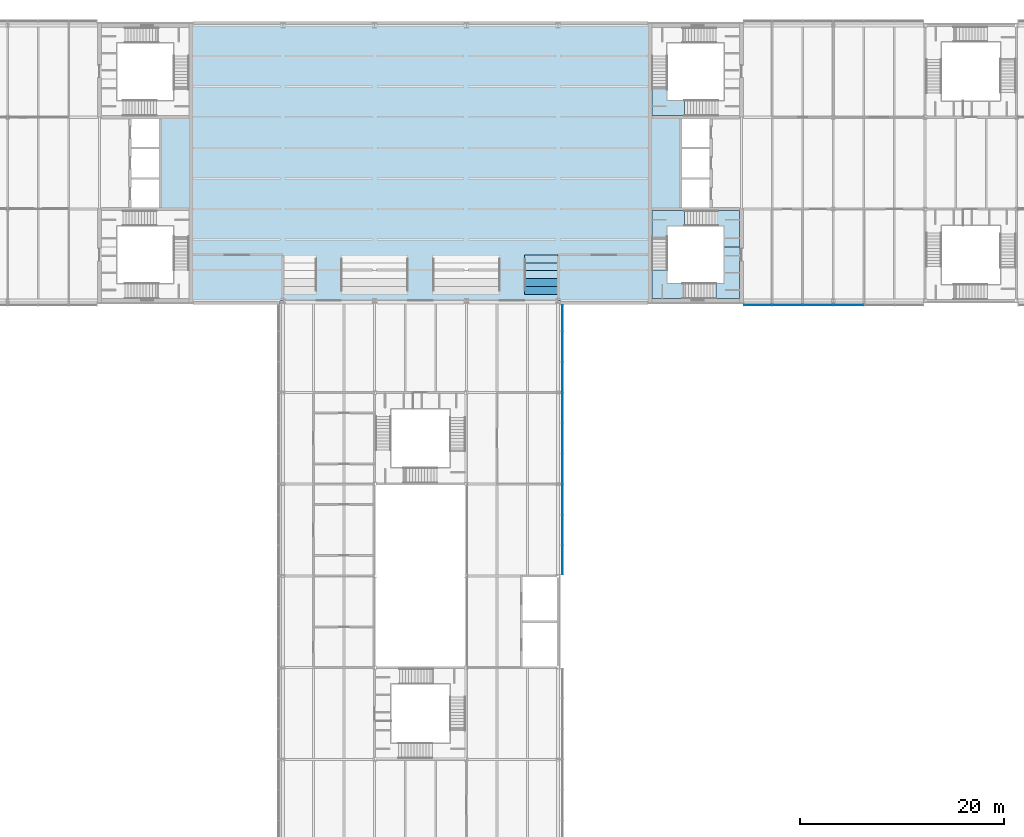
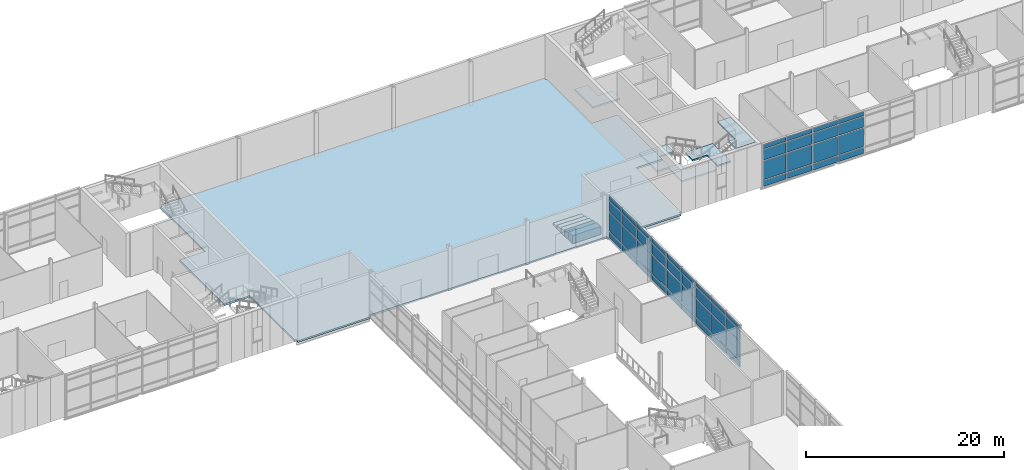
# One storey, part 30 of 52: 52 plates, 11 slabs, 4 elements without a shape of their own.
"""IFC4 building model written with IfcOpenShell, lengths in metres."""

from ifc_helpers import new_model, si_unit, direction, frame, origin, origin_2d, place, context, subcontext, project, spatial, polyline, rectangle, outline, extrude, material, layer, layer_set, type_object, element, aggregate, save


model = new_model("IFC4")

# Units and contexts
model_context = context("Model", 3, precision=1e-05, world=origin(), true_north=direction((0.0, 1.0)))
body_context = subcontext(model_context, "Body", "Model", "MODEL_VIEW")
ifc_project = project(units=[si_unit("LENGTHUNIT", "METRE"), si_unit("AREAUNIT", "SQUARE_METRE"), si_unit("VOLUMEUNIT", "CUBIC_METRE"), si_unit("PLANEANGLEUNIT", "RADIAN"), si_unit("MASSUNIT", "GRAM", prefix="KILO")], contexts=[model_context])

# Site, building, storey
site_placement = place(None, origin())
site = spatial("IfcSite", under=ifc_project, at=site_placement, CompositionType="ELEMENT")
building_placement = place(site_placement, origin())
building = spatial("IfcBuilding", under=site, at=building_placement, Name="Azimuth Sports and Learning Centre", CompositionType="ELEMENT")
storey_placement = place(building_placement, frame((0.0, 0.0, 16.199951171875)))
storey = spatial("IfcBuildingStorey", under=building, at=storey_placement, Name="L03", CompositionType="ELEMENT", Elevation=16.199951171875)

# Slab
ifc_material_1 = material(Name="Concrete C30/37", Category="concrete")
ifc_layer_1 = layer(ifc_material_1, 0.219970703125)
ifc_layer_set_1 = layer_set([ifc_layer_1], Name="Concrete C30/37")
slab_type_1 = type_object("IfcSlabType", Name="Composite hall floor slab 220", PredefinedType="FLOOR", material=ifc_layer_set_1)
slab_1_placement = place(storey_placement, frame((0.0, 0.0, -0.219970703125)))
element("IfcSlab", 1, at=slab_1_placement, inside=storey, type_object=slab_type_1, Name="Slab HALL L03", PredefinedType="FLOOR", context=body_context, shape_type="SweptSolid", body=[
    extrude(outline(polyline([(63.199951171875, 89.699951171875), (71.699951171875, 89.699951171875), (71.699951171875, 90.0), (99.300048828125, 90.0), (99.300048828125, 89.699951171875), (107.800048828125, 89.699951171875), (107.800048828125, 90.0), (108.0, 90.0), (108.0, 99.0), (111.0, 99.0), (111.0, 108.0), (108.0, 108.0), (108.0, 117.0), (107.800048828125, 117.0), (107.800048828125, 117.300048828125), (63.199951171875, 117.300048828125), (63.199951171875, 117.0), (63.0, 117.0), (63.0, 108.0), (60.0, 108.0), (60.0, 99.0), (63.0, 99.0), (63.0, 90.0), (63.199951171875, 90.0), (63.199951171875, 89.699951171875)])), origin(), (0.0, 0.0, 1.0), 0.219970703125),
])

# Stair, slabs
ifc_material_2 = material(Name="Concrete C32/40", Category="concrete")
stair_type = type_object("IfcStairType", Name="Square-well stair core 5400 storey", PredefinedType="THREE_QUARTER_TURN_STAIR", material=ifc_material_2)
stair_1_placement = place(storey_placement, origin())
stair_1 = element("IfcStair", 2, at=stair_1_placement, inside=storey, type_object=stair_type, Name="Stair E1 L03-L04", PredefinedType="THREE_QUARTER_TURN_STAIR")
ifc_material_3 = material(Name="Concrete C32/40", Category="concrete")
ifc_layer_2 = layer(ifc_material_3, 0.199951171875)
ifc_layer_set_2 = layer_set([ifc_layer_2], Name="Concrete C32/40")
slab_type_2 = type_object("IfcSlabType", Name="Concrete stair landing", PredefinedType="LANDING", material=ifc_layer_set_2)
slab_2_placement = place(storey_placement, frame((0.0, 0.0, -0.199951171875)))
slab_2 = element("IfcSlab", 3, at=slab_2_placement, type_object=slab_type_2, Name="Stair E1 L03 landing 1", PredefinedType="LANDING", context=body_context, shape_type="SweptSolid", body=[
    extrude(outline(polyline([(113.590087890625, 97.340087890625), (115.2900390625, 97.340087890625), (115.2900390625, 95.25), (116.7900390625, 95.25), (116.7900390625, 98.840087890625), (113.590087890625, 98.840087890625), (113.590087890625, 97.340087890625)])), origin(), (0.0, 0.0, 1.0), 0.199951171875),
])
slab_3_placement = place(storey_placement, frame((0.0, 0.0, 1.60009765625)))
slab_3 = element("IfcSlab", 4, at=slab_3_placement, type_object=slab_type_2, Name="Stair E1 L03 landing 2", PredefinedType="LANDING", context=body_context, shape_type="SweptSolid", body=[
    extrude(outline(polyline([(109.7099609375, 97.340087890625), (111.390625, 97.340087890625), (111.390625, 98.840087890625), (108.2099609375, 98.840087890625), (108.2099609375, 95.18994140625), (109.7099609375, 95.18994140625), (109.7099609375, 97.340087890625)])), origin(), (0.0, 0.0, 1.0), 0.199951171875),
])
slab_4_placement = place(storey_placement, frame((0.0, 0.0, 3.400146484375)))
slab_4 = element("IfcSlab", 5, at=slab_4_placement, type_object=slab_type_2, Name="Stair E1 L03 landing 3", PredefinedType="LANDING", context=body_context, shape_type="SweptSolid", body=[
    extrude(outline(polyline([(109.7099609375, 91.7099609375), (109.7099609375, 92.99072265625), (108.2099609375, 92.99072265625), (108.2099609375, 90.2099609375), (112.31005859375, 90.2099609375), (112.31005859375, 91.7099609375), (109.7099609375, 91.7099609375)])), origin(), (0.0, 0.0, 1.0), 0.199951171875),
])
slab_5_placement = place(storey_placement, frame((0.0, 0.0, 5.199951171875)))
slab_5 = element("IfcSlab", 6, at=slab_5_placement, type_object=slab_type_2, Name="Stair E1 L03 landing 4", PredefinedType="LANDING", context=body_context, shape_type="SweptSolid", body=[
    extrude(outline(polyline([(115.2900390625, 91.7099609375), (114.50927734375, 91.7099609375), (114.50927734375, 90.2099609375), (116.7900390625, 90.2099609375), (116.7900390625, 95.25), (115.2900390625, 95.25), (115.2900390625, 91.7099609375)])), origin(), (0.0, 0.0, 1.0), 0.2001953125),
])
aggregate(stair_1, [slab_2, slab_3, slab_4, slab_5])

# Stair, slab
stair_2_placement = place(storey_placement, origin())
stair_2 = element("IfcStair", 7, at=stair_2_placement, inside=storey, type_object=stair_type, Name="Stair E2 L03-L04", PredefinedType="THREE_QUARTER_TURN_STAIR")
slab_6_placement = place(storey_placement, frame((0.0, 0.0, 1.60009765625)))
slab_6 = element("IfcSlab", 8, at=slab_6_placement, type_object=slab_type_2, Name="Stair E2 L03 landing 2", PredefinedType="LANDING", context=body_context, shape_type="SweptSolid", body=[
    extrude(outline(polyline([(109.7099609375, 109.659912109375), (109.7099609375, 111.81005859375), (108.2099609375, 111.81005859375), (108.2099609375, 108.159912109375), (111.390625, 108.159912109375), (111.390625, 109.659912109375), (109.7099609375, 109.659912109375)])), origin(), (0.0, 0.0, 1.0), 0.199951171875),
])
aggregate(stair_2, [slab_6])

# Slabs
ifc_material_4 = material(Name="Retractable bank decking on a telescopic frame")
ifc_layer_3 = layer(ifc_material_4, 1.0)
ifc_layer_set_3 = layer_set([ifc_layer_3], Name="Retractable bank decking on a telescopic frame")
slab_type_3 = type_object("IfcSlabType", Name="Retractable bank step 1000", PredefinedType="FLOOR", material=ifc_layer_set_3)
slab_7_placement = place(storey_placement, origin())
element("IfcSlab", 9, at=slab_7_placement, inside=storey, type_object=slab_type_3, Name="Retractable bank B segment 4 step 5", PredefinedType="FLOOR", context=body_context, shape_type="SweptSolid", body=[
    extrude(outline(polyline([(95.699951171875, 90.60009765625), (99.0, 90.60009765625), (99.0, 91.3798828125), (95.699951171875, 91.3798828125), (95.699951171875, 90.60009765625)])), origin(), (0.0, 0.0, 1.0), 1.0),
])
ifc_material_5 = material(Name="Retractable bank decking on a telescopic frame")
ifc_layer_4 = layer(ifc_material_5, 0.199951171875)
ifc_layer_set_4 = layer_set([ifc_layer_4], Name="Retractable bank decking on a telescopic frame")
slab_type_4 = type_object("IfcSlabType", Name="Retractable bank step 200", PredefinedType="FLOOR", material=ifc_layer_set_4)
slab_8_placement = place(storey_placement, origin())
element("IfcSlab", 10, at=slab_8_placement, inside=storey, type_object=slab_type_4, Name="Retractable bank B segment 4 step 1", PredefinedType="FLOOR", context=body_context, shape_type="SweptSolid", body=[
    extrude(outline(polyline([(95.699951171875, 93.719970703125), (99.0, 93.719970703125), (99.0, 94.5), (95.699951171875, 94.5), (95.699951171875, 93.719970703125)])), origin(), (0.0, 0.0, 1.0), 0.199951171875),
])
ifc_material_6 = material(Name="Retractable bank decking on a telescopic frame")
ifc_layer_5 = layer(ifc_material_6, 0.39990234375)
ifc_layer_set_5 = layer_set([ifc_layer_5], Name="Retractable bank decking on a telescopic frame")
slab_type_5 = type_object("IfcSlabType", Name="Retractable bank step 400", PredefinedType="FLOOR", material=ifc_layer_set_5)
slab_9_placement = place(storey_placement, origin())
element("IfcSlab", 11, at=slab_9_placement, inside=storey, type_object=slab_type_5, Name="Retractable bank B segment 4 step 2", PredefinedType="FLOOR", context=body_context, shape_type="SweptSolid", body=[
    extrude(outline(polyline([(95.699951171875, 92.93994140625), (99.0, 92.93994140625), (99.0, 93.719970703125), (95.699951171875, 93.719970703125), (95.699951171875, 92.93994140625)])), origin(), (0.0, 0.0, 1.0), 0.400146484375),
])
ifc_material_7 = material(Name="Retractable bank decking on a telescopic frame")
ifc_layer_6 = layer(ifc_material_7, 0.60009765625)
ifc_layer_set_6 = layer_set([ifc_layer_6], Name="Retractable bank decking on a telescopic frame")
slab_type_6 = type_object("IfcSlabType", Name="Retractable bank step 600", PredefinedType="FLOOR", material=ifc_layer_set_6)
slab_10_placement = place(storey_placement, origin())
element("IfcSlab", 12, at=slab_10_placement, inside=storey, type_object=slab_type_6, Name="Retractable bank B segment 4 step 3", PredefinedType="FLOOR", context=body_context, shape_type="SweptSolid", body=[
    extrude(outline(polyline([(95.699951171875, 92.159912109375), (99.0, 92.159912109375), (99.0, 92.93994140625), (95.699951171875, 92.93994140625), (95.699951171875, 92.159912109375)])), origin(), (0.0, 0.0, 1.0), 0.60009765625),
])
ifc_material_8 = material(Name="Retractable bank decking on a telescopic frame")
ifc_layer_7 = layer(ifc_material_8, 0.800048828125)
ifc_layer_set_7 = layer_set([ifc_layer_7], Name="Retractable bank decking on a telescopic frame")
slab_type_7 = type_object("IfcSlabType", Name="Retractable bank step 800", PredefinedType="FLOOR", material=ifc_layer_set_7)
slab_11_placement = place(storey_placement, origin())
element("IfcSlab", 13, at=slab_11_placement, inside=storey, type_object=slab_type_7, Name="Retractable bank B segment 4 step 4", PredefinedType="FLOOR", context=body_context, shape_type="SweptSolid", body=[
    extrude(outline(polyline([(95.699951171875, 91.3798828125), (99.0, 91.3798828125), (99.0, 92.159912109375), (95.699951171875, 92.159912109375), (95.699951171875, 91.3798828125)])), origin(), (0.0, 0.0, 1.0), 0.800048828125),
])

# Curtain wall, plates
ifc_material_9 = material(Name="Aluminium and glass", Category="aluminium")
curtain_wall_type_1 = type_object("IfcCurtainWallType", Name="Curtain wall podium stem 240", PredefinedType="NOTDEFINED", material=ifc_material_9)
curtain_wall_1_placement = place(storey_placement, origin())
curtain_wall_1 = element("IfcCurtainWall", 14, at=curtain_wall_1_placement, inside=storey, type_object=curtain_wall_type_1, Name="Curtain wall CW03-008", PredefinedType="NOTDEFINED")
ifc_material_10 = material(Name="Insulated aluminium panel", Category="aluminium")
ifc_layer_8 = layer(ifc_material_10, 0.06005859375)
ifc_layer_set_8 = layer_set([ifc_layer_8], Name="Insulated aluminium panel")
plate_type_1 = type_object("IfcPlateType", Name="Spandrel panel 60 mm", PredefinedType="CURTAIN_PANEL", material=ifc_layer_set_8)
plate_1_placement = place(storey_placement, frame((99.419921875, 64.570068359375, 0.1201171875), z_axis=(0.0, 0.0, 1.0), x_axis=(0.0, 1.0, 0.0)))
plate_1 = element("IfcPlate", 15, at=plate_1_placement, type_object=plate_type_1, Name="CW03-008 panel 1.1", PredefinedType="CURTAIN_PANEL", context=body_context, shape_type="SweptSolid", body=[
    extrude(rectangle(XDim=2.780029296875, YDim=0.06005859375, at=origin_2d()), origin(), (0.0, 0.0, 1.0), 0.719970703125),
])
plate_2_placement = place(storey_placement, frame((99.419921875, 64.570068359375, 4.760009765625), z_axis=(0.0, 0.0, 1.0), x_axis=(0.0, 1.0, 0.0)))
plate_2 = element("IfcPlate", 16, at=plate_2_placement, type_object=plate_type_1, Name="CW03-008 panel 1.4", PredefinedType="CURTAIN_PANEL", context=body_context, shape_type="SweptSolid", body=[
    extrude(rectangle(XDim=2.780029296875, YDim=0.06005859375, at=origin_2d()), origin(), (0.0, 0.0, 1.0), 0.52001953125),
])
plate_3_placement = place(storey_placement, frame((99.419921875, 67.5, 0.1201171875), z_axis=(0.0, 0.0, 1.0), x_axis=(0.0, 1.0, 0.0)))
plate_3 = element("IfcPlate", 17, at=plate_3_placement, type_object=plate_type_1, Name="CW03-008 panel 2.1", PredefinedType="CURTAIN_PANEL", context=body_context, shape_type="SweptSolid", body=[
    extrude(rectangle(XDim=2.919921875, YDim=0.06005859375, at=origin_2d()), origin(), (0.0, 0.0, 1.0), 0.719970703125),
])
plate_4_placement = place(storey_placement, frame((99.419921875, 67.5, 4.760009765625), z_axis=(0.0, 0.0, 1.0), x_axis=(0.0, 1.0, 0.0)))
plate_4 = element("IfcPlate", 18, at=plate_4_placement, type_object=plate_type_1, Name="CW03-008 panel 2.4", PredefinedType="CURTAIN_PANEL", context=body_context, shape_type="SweptSolid", body=[
    extrude(rectangle(XDim=2.919921875, YDim=0.06005859375, at=origin_2d()), origin(), (0.0, 0.0, 1.0), 0.52001953125),
])
plate_5_placement = place(storey_placement, frame((99.419921875, 70.5, 0.1201171875), z_axis=(0.0, 0.0, 1.0), x_axis=(0.0, 1.0, 0.0)))
plate_5 = element("IfcPlate", 19, at=plate_5_placement, type_object=plate_type_1, Name="CW03-008 panel 3.1", PredefinedType="CURTAIN_PANEL", context=body_context, shape_type="SweptSolid", body=[
    extrude(rectangle(XDim=2.919921875, YDim=0.06005859375, at=origin_2d()), origin(), (0.0, 0.0, 1.0), 0.719970703125),
])
plate_6_placement = place(storey_placement, frame((99.419921875, 70.5, 4.760009765625), z_axis=(0.0, 0.0, 1.0), x_axis=(0.0, 1.0, 0.0)))
plate_6 = element("IfcPlate", 20, at=plate_6_placement, type_object=plate_type_1, Name="CW03-008 panel 3.4", PredefinedType="CURTAIN_PANEL", context=body_context, shape_type="SweptSolid", body=[
    extrude(rectangle(XDim=2.919921875, YDim=0.06005859375, at=origin_2d()), origin(), (0.0, 0.0, 1.0), 0.52001953125),
])
plate_7_placement = place(storey_placement, frame((99.419921875, 73.5, 0.1201171875), z_axis=(0.0, 0.0, 1.0), x_axis=(0.0, 1.0, 0.0)))
plate_7 = element("IfcPlate", 21, at=plate_7_placement, type_object=plate_type_1, Name="CW03-008 panel 4.1", PredefinedType="CURTAIN_PANEL", context=body_context, shape_type="SweptSolid", body=[
    extrude(rectangle(XDim=2.919921875, YDim=0.06005859375, at=origin_2d()), origin(), (0.0, 0.0, 1.0), 0.719970703125),
])
plate_8_placement = place(storey_placement, frame((99.419921875, 73.5, 4.760009765625), z_axis=(0.0, 0.0, 1.0), x_axis=(0.0, 1.0, 0.0)))
plate_8 = element("IfcPlate", 22, at=plate_8_placement, type_object=plate_type_1, Name="CW03-008 panel 4.4", PredefinedType="CURTAIN_PANEL", context=body_context, shape_type="SweptSolid", body=[
    extrude(rectangle(XDim=2.919921875, YDim=0.06005859375, at=origin_2d()), origin(), (0.0, 0.0, 1.0), 0.52001953125),
])
plate_9_placement = place(storey_placement, frame((99.419921875, 76.5, 0.1201171875), z_axis=(0.0, 0.0, 1.0), x_axis=(0.0, 1.0, 0.0)))
plate_9 = element("IfcPlate", 23, at=plate_9_placement, type_object=plate_type_1, Name="CW03-008 panel 5.1", PredefinedType="CURTAIN_PANEL", context=body_context, shape_type="SweptSolid", body=[
    extrude(rectangle(XDim=2.919921875, YDim=0.06005859375, at=origin_2d()), origin(), (0.0, 0.0, 1.0), 0.719970703125),
])
plate_10_placement = place(storey_placement, frame((99.419921875, 76.5, 4.760009765625), z_axis=(0.0, 0.0, 1.0), x_axis=(0.0, 1.0, 0.0)))
plate_10 = element("IfcPlate", 24, at=plate_10_placement, type_object=plate_type_1, Name="CW03-008 panel 5.4", PredefinedType="CURTAIN_PANEL", context=body_context, shape_type="SweptSolid", body=[
    extrude(rectangle(XDim=2.919921875, YDim=0.06005859375, at=origin_2d()), origin(), (0.0, 0.0, 1.0), 0.52001953125),
])
plate_11_placement = place(storey_placement, frame((99.419921875, 79.5, 0.1201171875), z_axis=(0.0, 0.0, 1.0), x_axis=(0.0, 1.0, 0.0)))
plate_11 = element("IfcPlate", 25, at=plate_11_placement, type_object=plate_type_1, Name="CW03-008 panel 6.1", PredefinedType="CURTAIN_PANEL", context=body_context, shape_type="SweptSolid", body=[
    extrude(rectangle(XDim=2.919921875, YDim=0.06005859375, at=origin_2d()), origin(), (0.0, 0.0, 1.0), 0.719970703125),
])
plate_12_placement = place(storey_placement, frame((99.419921875, 79.5, 4.760009765625), z_axis=(0.0, 0.0, 1.0), x_axis=(0.0, 1.0, 0.0)))
plate_12 = element("IfcPlate", 26, at=plate_12_placement, type_object=plate_type_1, Name="CW03-008 panel 6.4", PredefinedType="CURTAIN_PANEL", context=body_context, shape_type="SweptSolid", body=[
    extrude(rectangle(XDim=2.919921875, YDim=0.06005859375, at=origin_2d()), origin(), (0.0, 0.0, 1.0), 0.52001953125),
])
plate_13_placement = place(storey_placement, frame((99.419921875, 82.5, 0.1201171875), z_axis=(0.0, 0.0, 1.0), x_axis=(0.0, 1.0, 0.0)))
plate_13 = element("IfcPlate", 27, at=plate_13_placement, type_object=plate_type_1, Name="CW03-008 panel 7.1", PredefinedType="CURTAIN_PANEL", context=body_context, shape_type="SweptSolid", body=[
    extrude(rectangle(XDim=2.919921875, YDim=0.06005859375, at=origin_2d()), origin(), (0.0, 0.0, 1.0), 0.719970703125),
])
plate_14_placement = place(storey_placement, frame((99.419921875, 82.5, 4.760009765625), z_axis=(0.0, 0.0, 1.0), x_axis=(0.0, 1.0, 0.0)))
plate_14 = element("IfcPlate", 28, at=plate_14_placement, type_object=plate_type_1, Name="CW03-008 panel 7.4", PredefinedType="CURTAIN_PANEL", context=body_context, shape_type="SweptSolid", body=[
    extrude(rectangle(XDim=2.919921875, YDim=0.06005859375, at=origin_2d()), origin(), (0.0, 0.0, 1.0), 0.52001953125),
])
plate_15_placement = place(storey_placement, frame((99.419921875, 85.5, 0.1201171875), z_axis=(0.0, 0.0, 1.0), x_axis=(0.0, 1.0, 0.0)))
plate_15 = element("IfcPlate", 29, at=plate_15_placement, type_object=plate_type_1, Name="CW03-008 panel 8.1", PredefinedType="CURTAIN_PANEL", context=body_context, shape_type="SweptSolid", body=[
    extrude(rectangle(XDim=2.919921875, YDim=0.06005859375, at=origin_2d()), origin(), (0.0, 0.0, 1.0), 0.719970703125),
])
plate_16_placement = place(storey_placement, frame((99.419921875, 85.5, 4.760009765625), z_axis=(0.0, 0.0, 1.0), x_axis=(0.0, 1.0, 0.0)))
plate_16 = element("IfcPlate", 30, at=plate_16_placement, type_object=plate_type_1, Name="CW03-008 panel 8.4", PredefinedType="CURTAIN_PANEL", context=body_context, shape_type="SweptSolid", body=[
    extrude(rectangle(XDim=2.919921875, YDim=0.06005859375, at=origin_2d()), origin(), (0.0, 0.0, 1.0), 0.52001953125),
])
plate_17_placement = place(storey_placement, frame((99.419921875, 88.284912109375, 0.1201171875), z_axis=(0.0, 0.0, 1.0), x_axis=(0.0, 1.0, 0.0)))
plate_17 = element("IfcPlate", 31, at=plate_17_placement, type_object=plate_type_1, Name="CW03-008 panel 9.1", PredefinedType="CURTAIN_PANEL", context=body_context, shape_type="SweptSolid", body=[
    extrude(rectangle(XDim=2.489990234375, YDim=0.06005859375, at=origin_2d()), origin(), (0.0, 0.0, 1.0), 0.719970703125),
])
plate_18_placement = place(storey_placement, frame((99.419921875, 88.284912109375, 4.760009765625), z_axis=(0.0, 0.0, 1.0), x_axis=(0.0, 1.0, 0.0)))
plate_18 = element("IfcPlate", 32, at=plate_18_placement, type_object=plate_type_1, Name="CW03-008 panel 9.4", PredefinedType="CURTAIN_PANEL", context=body_context, shape_type="SweptSolid", body=[
    extrude(rectangle(XDim=2.489990234375, YDim=0.06005859375, at=origin_2d()), origin(), (0.0, 0.0, 1.0), 0.52001953125),
])

ifc_material_11 = material(Name="Aluminium and glass", Category="aluminium")
curtain_wall_type_2 = type_object("IfcCurtainWallType", Name="Curtain wall podium wing 240", PredefinedType="NOTDEFINED", material=ifc_material_11)
curtain_wall_2_placement = place(storey_placement, origin())
curtain_wall_2 = element("IfcCurtainWall", 33, at=curtain_wall_2_placement, inside=storey, type_object=curtain_wall_type_2, Name="Curtain wall CW03-009", PredefinedType="NOTDEFINED")
plate_19_placement = place(storey_placement, frame((118.6201171875, 89.580078125, 0.1201171875), z_axis=(0.0, 0.0, 1.0), x_axis=(1.0, 0.0, 0.0)))
plate_19 = element("IfcPlate", 34, at=plate_19_placement, type_object=plate_type_1, Name="CW03-009 panel 1.1", PredefinedType="CURTAIN_PANEL", context=body_context, shape_type="SweptSolid", body=[
    extrude(rectangle(XDim=2.679931640625, YDim=0.06005859375, at=origin_2d()), origin(), (0.0, 0.0, 1.0), 0.719970703125),
])
plate_20_placement = place(storey_placement, frame((118.6201171875, 89.580078125, 4.760009765625), z_axis=(0.0, 0.0, 1.0), x_axis=(1.0, 0.0, 0.0)))
plate_20 = element("IfcPlate", 35, at=plate_20_placement, type_object=plate_type_1, Name="CW03-009 panel 1.4", PredefinedType="CURTAIN_PANEL", context=body_context, shape_type="SweptSolid", body=[
    extrude(rectangle(XDim=2.679931640625, YDim=0.06005859375, at=origin_2d()), origin(), (0.0, 0.0, 1.0), 0.52001953125),
])
plate_21_placement = place(storey_placement, frame((121.5, 89.580078125, 0.1201171875), z_axis=(0.0, 0.0, 1.0), x_axis=(1.0, 0.0, 0.0)))
plate_21 = element("IfcPlate", 36, at=plate_21_placement, type_object=plate_type_1, Name="CW03-009 panel 2.1", PredefinedType="CURTAIN_PANEL", context=body_context, shape_type="SweptSolid", body=[
    extrude(rectangle(XDim=2.919921875, YDim=0.06005859375, at=origin_2d()), origin(), (0.0, 0.0, 1.0), 0.719970703125),
])
plate_22_placement = place(storey_placement, frame((121.5, 89.580078125, 4.760009765625), z_axis=(0.0, 0.0, 1.0), x_axis=(1.0, 0.0, 0.0)))
plate_22 = element("IfcPlate", 37, at=plate_22_placement, type_object=plate_type_1, Name="CW03-009 panel 2.4", PredefinedType="CURTAIN_PANEL", context=body_context, shape_type="SweptSolid", body=[
    extrude(rectangle(XDim=2.919921875, YDim=0.06005859375, at=origin_2d()), origin(), (0.0, 0.0, 1.0), 0.52001953125),
])
plate_23_placement = place(storey_placement, frame((124.5, 89.580078125, 0.1201171875), z_axis=(0.0, 0.0, 1.0), x_axis=(1.0, 0.0, 0.0)))
plate_23 = element("IfcPlate", 38, at=plate_23_placement, type_object=plate_type_1, Name="CW03-009 panel 3.1", PredefinedType="CURTAIN_PANEL", context=body_context, shape_type="SweptSolid", body=[
    extrude(rectangle(XDim=2.919921875, YDim=0.06005859375, at=origin_2d()), origin(), (0.0, 0.0, 1.0), 0.719970703125),
])
plate_24_placement = place(storey_placement, frame((124.5, 89.580078125, 4.760009765625), z_axis=(0.0, 0.0, 1.0), x_axis=(1.0, 0.0, 0.0)))
plate_24 = element("IfcPlate", 39, at=plate_24_placement, type_object=plate_type_1, Name="CW03-009 panel 3.4", PredefinedType="CURTAIN_PANEL", context=body_context, shape_type="SweptSolid", body=[
    extrude(rectangle(XDim=2.919921875, YDim=0.06005859375, at=origin_2d()), origin(), (0.0, 0.0, 1.0), 0.52001953125),
])
plate_25_placement = place(storey_placement, frame((127.5, 89.580078125, 0.1201171875), z_axis=(0.0, 0.0, 1.0), x_axis=(1.0, 0.0, 0.0)))
plate_25 = element("IfcPlate", 40, at=plate_25_placement, type_object=plate_type_1, Name="CW03-009 panel 4.1", PredefinedType="CURTAIN_PANEL", context=body_context, shape_type="SweptSolid", body=[
    extrude(rectangle(XDim=2.919921875, YDim=0.06005859375, at=origin_2d()), origin(), (0.0, 0.0, 1.0), 0.719970703125),
])
plate_26_placement = place(storey_placement, frame((127.5, 89.580078125, 4.760009765625), z_axis=(0.0, 0.0, 1.0), x_axis=(1.0, 0.0, 0.0)))
plate_26 = element("IfcPlate", 41, at=plate_26_placement, type_object=plate_type_1, Name="CW03-009 panel 4.4", PredefinedType="CURTAIN_PANEL", context=body_context, shape_type="SweptSolid", body=[
    extrude(rectangle(XDim=2.919921875, YDim=0.06005859375, at=origin_2d()), origin(), (0.0, 0.0, 1.0), 0.52001953125),
])

# Plate
ifc_material_12 = material(Name="Glass", Category="glass")
ifc_layer_9 = layer(ifc_material_12, 0.0439453125)
ifc_layer_set_9 = layer_set([ifc_layer_9], Name="Glass")
plate_type_2 = type_object("IfcPlateType", Name="Vision glass 44 mm", PredefinedType="CURTAIN_PANEL", material=ifc_layer_set_9)
plate_27_placement = place(storey_placement, frame((99.419921875, 64.570068359375, 0.9599609375), z_axis=(0.0, 0.0, 1.0), x_axis=(0.0, 1.0, 0.0)))
plate_27 = element("IfcPlate", 42, at=plate_27_placement, type_object=plate_type_2, Name="CW03-008 panel 1.2", PredefinedType="CURTAIN_PANEL", context=body_context, shape_type="SweptSolid", body=[
    extrude(rectangle(XDim=2.780029296875, YDim=0.0439453125, at=origin_2d()), origin(), (0.0, 0.0, 1.0), 2.280029296875),
])

plate_28_placement = place(storey_placement, frame((99.419921875, 64.570068359375, 3.35986328125), z_axis=(0.0, 0.0, 1.0), x_axis=(0.0, 1.0, 0.0)))
plate_28 = element("IfcPlate", 43, at=plate_28_placement, type_object=plate_type_2, Name="CW03-008 panel 1.3", PredefinedType="CURTAIN_PANEL", context=body_context, shape_type="SweptSolid", body=[
    extrude(rectangle(XDim=2.780029296875, YDim=0.0439453125, at=origin_2d()), origin(), (0.0, 0.0, 1.0), 1.280029296875),
])

plate_29_placement = place(storey_placement, frame((99.419921875, 67.5, 0.9599609375), z_axis=(0.0, 0.0, 1.0), x_axis=(0.0, 1.0, 0.0)))
plate_29 = element("IfcPlate", 44, at=plate_29_placement, type_object=plate_type_2, Name="CW03-008 panel 2.2", PredefinedType="CURTAIN_PANEL", context=body_context, shape_type="SweptSolid", body=[
    extrude(rectangle(XDim=2.919921875, YDim=0.0439453125, at=origin_2d()), origin(), (0.0, 0.0, 1.0), 2.280029296875),
])

plate_30_placement = place(storey_placement, frame((99.419921875, 67.5, 3.35986328125), z_axis=(0.0, 0.0, 1.0), x_axis=(0.0, 1.0, 0.0)))
plate_30 = element("IfcPlate", 45, at=plate_30_placement, type_object=plate_type_2, Name="CW03-008 panel 2.3", PredefinedType="CURTAIN_PANEL", context=body_context, shape_type="SweptSolid", body=[
    extrude(rectangle(XDim=2.919921875, YDim=0.0439453125, at=origin_2d()), origin(), (0.0, 0.0, 1.0), 1.280029296875),
])

plate_31_placement = place(storey_placement, frame((99.419921875, 70.5, 0.9599609375), z_axis=(0.0, 0.0, 1.0), x_axis=(0.0, 1.0, 0.0)))
plate_31 = element("IfcPlate", 46, at=plate_31_placement, type_object=plate_type_2, Name="CW03-008 panel 3.2", PredefinedType="CURTAIN_PANEL", context=body_context, shape_type="SweptSolid", body=[
    extrude(rectangle(XDim=2.919921875, YDim=0.0439453125, at=origin_2d()), origin(), (0.0, 0.0, 1.0), 2.280029296875),
])

plate_32_placement = place(storey_placement, frame((99.419921875, 70.5, 3.35986328125), z_axis=(0.0, 0.0, 1.0), x_axis=(0.0, 1.0, 0.0)))
plate_32 = element("IfcPlate", 47, at=plate_32_placement, type_object=plate_type_2, Name="CW03-008 panel 3.3", PredefinedType="CURTAIN_PANEL", context=body_context, shape_type="SweptSolid", body=[
    extrude(rectangle(XDim=2.919921875, YDim=0.0439453125, at=origin_2d()), origin(), (0.0, 0.0, 1.0), 1.280029296875),
])

plate_33_placement = place(storey_placement, frame((99.419921875, 73.5, 0.9599609375), z_axis=(0.0, 0.0, 1.0), x_axis=(0.0, 1.0, 0.0)))
plate_33 = element("IfcPlate", 48, at=plate_33_placement, type_object=plate_type_2, Name="CW03-008 panel 4.2", PredefinedType="CURTAIN_PANEL", context=body_context, shape_type="SweptSolid", body=[
    extrude(rectangle(XDim=2.919921875, YDim=0.0439453125, at=origin_2d()), origin(), (0.0, 0.0, 1.0), 2.280029296875),
])

plate_34_placement = place(storey_placement, frame((99.419921875, 73.5, 3.35986328125), z_axis=(0.0, 0.0, 1.0), x_axis=(0.0, 1.0, 0.0)))
plate_34 = element("IfcPlate", 49, at=plate_34_placement, type_object=plate_type_2, Name="CW03-008 panel 4.3", PredefinedType="CURTAIN_PANEL", context=body_context, shape_type="SweptSolid", body=[
    extrude(rectangle(XDim=2.919921875, YDim=0.0439453125, at=origin_2d()), origin(), (0.0, 0.0, 1.0), 1.280029296875),
])

plate_35_placement = place(storey_placement, frame((99.419921875, 76.5, 0.9599609375), z_axis=(0.0, 0.0, 1.0), x_axis=(0.0, 1.0, 0.0)))
plate_35 = element("IfcPlate", 50, at=plate_35_placement, type_object=plate_type_2, Name="CW03-008 panel 5.2", PredefinedType="CURTAIN_PANEL", context=body_context, shape_type="SweptSolid", body=[
    extrude(rectangle(XDim=2.919921875, YDim=0.0439453125, at=origin_2d()), origin(), (0.0, 0.0, 1.0), 2.280029296875),
])

plate_36_placement = place(storey_placement, frame((99.419921875, 76.5, 3.35986328125), z_axis=(0.0, 0.0, 1.0), x_axis=(0.0, 1.0, 0.0)))
plate_36 = element("IfcPlate", 51, at=plate_36_placement, type_object=plate_type_2, Name="CW03-008 panel 5.3", PredefinedType="CURTAIN_PANEL", context=body_context, shape_type="SweptSolid", body=[
    extrude(rectangle(XDim=2.919921875, YDim=0.0439453125, at=origin_2d()), origin(), (0.0, 0.0, 1.0), 1.280029296875),
])

plate_37_placement = place(storey_placement, frame((99.419921875, 79.5, 0.9599609375), z_axis=(0.0, 0.0, 1.0), x_axis=(0.0, 1.0, 0.0)))
plate_37 = element("IfcPlate", 52, at=plate_37_placement, type_object=plate_type_2, Name="CW03-008 panel 6.2", PredefinedType="CURTAIN_PANEL", context=body_context, shape_type="SweptSolid", body=[
    extrude(rectangle(XDim=2.919921875, YDim=0.0439453125, at=origin_2d()), origin(), (0.0, 0.0, 1.0), 2.280029296875),
])

plate_38_placement = place(storey_placement, frame((99.419921875, 79.5, 3.35986328125), z_axis=(0.0, 0.0, 1.0), x_axis=(0.0, 1.0, 0.0)))
plate_38 = element("IfcPlate", 53, at=plate_38_placement, type_object=plate_type_2, Name="CW03-008 panel 6.3", PredefinedType="CURTAIN_PANEL", context=body_context, shape_type="SweptSolid", body=[
    extrude(rectangle(XDim=2.919921875, YDim=0.0439453125, at=origin_2d()), origin(), (0.0, 0.0, 1.0), 1.280029296875),
])

plate_39_placement = place(storey_placement, frame((99.419921875, 82.5, 0.9599609375), z_axis=(0.0, 0.0, 1.0), x_axis=(0.0, 1.0, 0.0)))
plate_39 = element("IfcPlate", 54, at=plate_39_placement, type_object=plate_type_2, Name="CW03-008 panel 7.2", PredefinedType="CURTAIN_PANEL", context=body_context, shape_type="SweptSolid", body=[
    extrude(rectangle(XDim=2.919921875, YDim=0.0439453125, at=origin_2d()), origin(), (0.0, 0.0, 1.0), 2.280029296875),
])

plate_40_placement = place(storey_placement, frame((99.419921875, 82.5, 3.35986328125), z_axis=(0.0, 0.0, 1.0), x_axis=(0.0, 1.0, 0.0)))
plate_40 = element("IfcPlate", 55, at=plate_40_placement, type_object=plate_type_2, Name="CW03-008 panel 7.3", PredefinedType="CURTAIN_PANEL", context=body_context, shape_type="SweptSolid", body=[
    extrude(rectangle(XDim=2.919921875, YDim=0.0439453125, at=origin_2d()), origin(), (0.0, 0.0, 1.0), 1.280029296875),
])

plate_41_placement = place(storey_placement, frame((99.419921875, 85.5, 0.9599609375), z_axis=(0.0, 0.0, 1.0), x_axis=(0.0, 1.0, 0.0)))
plate_41 = element("IfcPlate", 56, at=plate_41_placement, type_object=plate_type_2, Name="CW03-008 panel 8.2", PredefinedType="CURTAIN_PANEL", context=body_context, shape_type="SweptSolid", body=[
    extrude(rectangle(XDim=2.919921875, YDim=0.0439453125, at=origin_2d()), origin(), (0.0, 0.0, 1.0), 2.280029296875),
])

plate_42_placement = place(storey_placement, frame((99.419921875, 85.5, 3.35986328125), z_axis=(0.0, 0.0, 1.0), x_axis=(0.0, 1.0, 0.0)))
plate_42 = element("IfcPlate", 57, at=plate_42_placement, type_object=plate_type_2, Name="CW03-008 panel 8.3", PredefinedType="CURTAIN_PANEL", context=body_context, shape_type="SweptSolid", body=[
    extrude(rectangle(XDim=2.919921875, YDim=0.0439453125, at=origin_2d()), origin(), (0.0, 0.0, 1.0), 1.280029296875),
])

plate_43_placement = place(storey_placement, frame((99.419921875, 88.284912109375, 0.9599609375), z_axis=(0.0, 0.0, 1.0), x_axis=(0.0, 1.0, 0.0)))
plate_43 = element("IfcPlate", 58, at=plate_43_placement, type_object=plate_type_2, Name="CW03-008 panel 9.2", PredefinedType="CURTAIN_PANEL", context=body_context, shape_type="SweptSolid", body=[
    extrude(rectangle(XDim=2.489990234375, YDim=0.0439453125, at=origin_2d()), origin(), (0.0, 0.0, 1.0), 2.280029296875),
])

plate_44_placement = place(storey_placement, frame((99.419921875, 88.284912109375, 3.35986328125), z_axis=(0.0, 0.0, 1.0), x_axis=(0.0, 1.0, 0.0)))
plate_44 = element("IfcPlate", 59, at=plate_44_placement, type_object=plate_type_2, Name="CW03-008 panel 9.3", PredefinedType="CURTAIN_PANEL", context=body_context, shape_type="SweptSolid", body=[
    extrude(rectangle(XDim=2.489990234375, YDim=0.0439453125, at=origin_2d()), origin(), (0.0, 0.0, 1.0), 1.280029296875),
])

aggregate(curtain_wall_1, [plate_1, plate_27, plate_28, plate_2, plate_3, plate_29, plate_30, plate_4, plate_5, plate_31, plate_32, plate_6, plate_7, plate_33, plate_34, plate_8, plate_9, plate_35, plate_36, plate_10, plate_11, plate_37, plate_38, plate_12, plate_13, plate_39, plate_40, plate_14, plate_15, plate_41, plate_42, plate_16, plate_17, plate_43, plate_44, plate_18])

plate_45_placement = place(storey_placement, frame((118.6201171875, 89.580078125, 0.9599609375), z_axis=(0.0, 0.0, 1.0), x_axis=(1.0, 0.0, 0.0)))
plate_45 = element("IfcPlate", 60, at=plate_45_placement, type_object=plate_type_2, Name="CW03-009 panel 1.2", PredefinedType="CURTAIN_PANEL", context=body_context, shape_type="SweptSolid", body=[
    extrude(rectangle(XDim=2.679931640625, YDim=0.0439453125, at=origin_2d()), origin(), (0.0, 0.0, 1.0), 2.280029296875),
])

plate_46_placement = place(storey_placement, frame((118.6201171875, 89.580078125, 3.35986328125), z_axis=(0.0, 0.0, 1.0), x_axis=(1.0, 0.0, 0.0)))
plate_46 = element("IfcPlate", 61, at=plate_46_placement, type_object=plate_type_2, Name="CW03-009 panel 1.3", PredefinedType="CURTAIN_PANEL", context=body_context, shape_type="SweptSolid", body=[
    extrude(rectangle(XDim=2.679931640625, YDim=0.0439453125, at=origin_2d()), origin(), (0.0, 0.0, 1.0), 1.280029296875),
])

plate_47_placement = place(storey_placement, frame((121.5, 89.580078125, 0.9599609375), z_axis=(0.0, 0.0, 1.0), x_axis=(1.0, 0.0, 0.0)))
plate_47 = element("IfcPlate", 62, at=plate_47_placement, type_object=plate_type_2, Name="CW03-009 panel 2.2", PredefinedType="CURTAIN_PANEL", context=body_context, shape_type="SweptSolid", body=[
    extrude(rectangle(XDim=2.919921875, YDim=0.0439453125, at=origin_2d()), origin(), (0.0, 0.0, 1.0), 2.280029296875),
])

plate_48_placement = place(storey_placement, frame((121.5, 89.580078125, 3.35986328125), z_axis=(0.0, 0.0, 1.0), x_axis=(1.0, 0.0, 0.0)))
plate_48 = element("IfcPlate", 63, at=plate_48_placement, type_object=plate_type_2, Name="CW03-009 panel 2.3", PredefinedType="CURTAIN_PANEL", context=body_context, shape_type="SweptSolid", body=[
    extrude(rectangle(XDim=2.919921875, YDim=0.0439453125, at=origin_2d()), origin(), (0.0, 0.0, 1.0), 1.280029296875),
])

plate_49_placement = place(storey_placement, frame((124.5, 89.580078125, 0.9599609375), z_axis=(0.0, 0.0, 1.0), x_axis=(1.0, 0.0, 0.0)))
plate_49 = element("IfcPlate", 64, at=plate_49_placement, type_object=plate_type_2, Name="CW03-009 panel 3.2", PredefinedType="CURTAIN_PANEL", context=body_context, shape_type="SweptSolid", body=[
    extrude(rectangle(XDim=2.919921875, YDim=0.0439453125, at=origin_2d()), origin(), (0.0, 0.0, 1.0), 2.280029296875),
])

plate_50_placement = place(storey_placement, frame((124.5, 89.580078125, 3.35986328125), z_axis=(0.0, 0.0, 1.0), x_axis=(1.0, 0.0, 0.0)))
plate_50 = element("IfcPlate", 65, at=plate_50_placement, type_object=plate_type_2, Name="CW03-009 panel 3.3", PredefinedType="CURTAIN_PANEL", context=body_context, shape_type="SweptSolid", body=[
    extrude(rectangle(XDim=2.919921875, YDim=0.0439453125, at=origin_2d()), origin(), (0.0, 0.0, 1.0), 1.280029296875),
])

plate_51_placement = place(storey_placement, frame((127.5, 89.580078125, 0.9599609375), z_axis=(0.0, 0.0, 1.0), x_axis=(1.0, 0.0, 0.0)))
plate_51 = element("IfcPlate", 66, at=plate_51_placement, type_object=plate_type_2, Name="CW03-009 panel 4.2", PredefinedType="CURTAIN_PANEL", context=body_context, shape_type="SweptSolid", body=[
    extrude(rectangle(XDim=2.919921875, YDim=0.0439453125, at=origin_2d()), origin(), (0.0, 0.0, 1.0), 2.280029296875),
])

plate_52_placement = place(storey_placement, frame((127.5, 89.580078125, 3.35986328125), z_axis=(0.0, 0.0, 1.0), x_axis=(1.0, 0.0, 0.0)))
plate_52 = element("IfcPlate", 67, at=plate_52_placement, type_object=plate_type_2, Name="CW03-009 panel 4.3", PredefinedType="CURTAIN_PANEL", context=body_context, shape_type="SweptSolid", body=[
    extrude(rectangle(XDim=2.919921875, YDim=0.0439453125, at=origin_2d()), origin(), (0.0, 0.0, 1.0), 1.280029296875),
])

aggregate(curtain_wall_2, [plate_19, plate_45, plate_46, plate_20, plate_21, plate_47, plate_48, plate_22, plate_23, plate_49, plate_50, plate_24, plate_25, plate_51, plate_52, plate_26])

save(model, "model.ifc")
